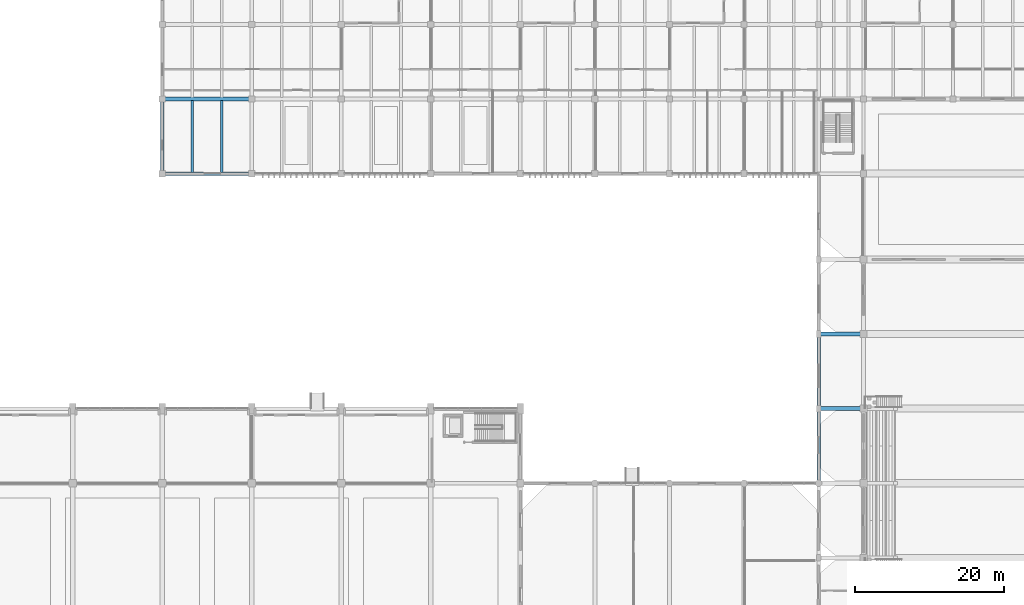
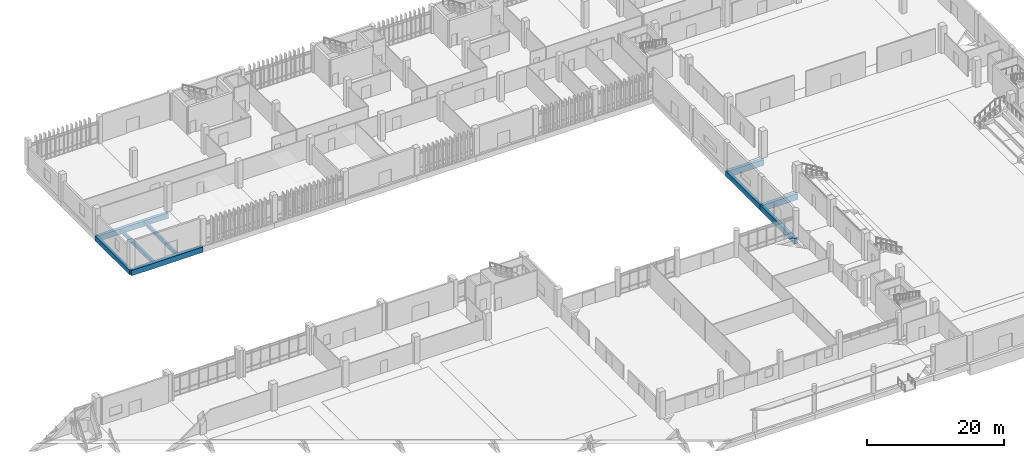
# One storey, part 32 of 87: 9 beams.
"""IFC4 building model written with IfcOpenShell, lengths in metres."""

from ifc_helpers import new_model, si_unit, direction, frame, origin, origin_2d, place, context, subcontext, project, spatial, rectangle, extrude, material, material_profile, profile_set, type_object, element, save


model = new_model("IFC4")

# Units and contexts
model_context = context("Model", 3, precision=1e-05, world=origin(), true_north=direction((0.0, 1.0)))
body_context = subcontext(model_context, "Body", "Model", "MODEL_VIEW")
ifc_project = project(units=[si_unit("LENGTHUNIT", "METRE"), si_unit("AREAUNIT", "SQUARE_METRE"), si_unit("VOLUMEUNIT", "CUBIC_METRE"), si_unit("PLANEANGLEUNIT", "RADIAN"), si_unit("MASSUNIT", "GRAM", prefix="KILO")], contexts=[model_context])

# Site, building, storey
site_placement = place(None, origin())
site = spatial("IfcSite", under=ifc_project, at=site_placement, CompositionType="ELEMENT")
building_placement = place(site_placement, origin())
building = spatial("IfcBuilding", under=site, at=building_placement, Name="Mersad Railyard Sports Hall", CompositionType="ELEMENT")
storey_placement = place(building_placement, origin())
storey = spatial("IfcBuildingStorey", under=building, at=storey_placement, Name="L00", CompositionType="ELEMENT", Elevation=0.0)

# Beams
ifc_material_1 = material(Name="Concrete C40/50", Category="concrete")
ifc_material_profile_1 = material_profile(ifc_material_1, rectangle(XDim=0.449951171875, YDim=0.85009765625, at=origin_2d()), Name="RC 450x850")
ifc_profile_set_1 = profile_set([ifc_material_profile_1], Name="Concrete C40/50")
beam_type_1 = type_object("IfcBeamType", Name="STR-BM-B02", PredefinedType="BEAM", material=ifc_profile_set_1)
beam_placement = place(storey_placement, frame((43.0, 85.0, -0.77490234375), z_axis=(0.0, 1.0, 0.0), x_axis=(-1.0, 0.0, 0.0)))
element("IfcBeam", 1, at=beam_placement, inside=storey, type_object=beam_type_1, Name="Beam B02-0174", PredefinedType="BEAM", context=body_context, shape_type="SweptSolid", body=[
    extrude(rectangle(XDim=0.449951171875, YDim=0.85009765625, at=origin_2d()), origin(), (0.0, 0.0, 1.0), 10.0),
])
ifc_material_2 = material(Name="Concrete C50/60", Category="concrete")
ifc_material_profile_2 = material_profile(ifc_material_2, rectangle(XDim=0.5, YDim=0.949951171875, at=origin_2d()), Name="RC 500x950")
ifc_profile_set_2 = profile_set([ifc_material_profile_2], Name="Concrete C50/60")
beam_type_2 = type_object("IfcBeamType", Name="STR-BM-B03", PredefinedType="BEAM", material=ifc_profile_set_2)
for number, where, z_axis, x_axis, name in (
    (2, (131.0, 43.5, -0.925048828125), (0.0, 1.0, 0.0), (-1.0, 0.0, 0.0), "Beam B03-0105"),
    (3, (131.0, 53.5, -0.925048828125), (0.0, 1.0, 0.0), (-1.0, 0.0, 0.0), "Beam B03-0106"),
):
    element("IfcBeam", number, at=place(storey_placement, frame(where, z_axis=z_axis, x_axis=x_axis)), inside=storey, type_object=beam_type_2, Name=name, PredefinedType="BEAM", context=body_context, shape_type="SweptSolid", body=[
        extrude(rectangle(XDim=0.5, YDim=0.949951171875, at=origin_2d()), origin(), (0.0, 0.0, 1.0), 10.0),
    ])
for number, where, z_axis, x_axis, name in (
    (4, (43.0, 85.0, -0.824951171875), (1.0, 0.0, 0.0), (0.0, 1.0, 0.0), "Beam B03-0142"),
    (5, (43.0, 95.0, -0.824951171875), (1.0, 0.0, 0.0), (0.0, 1.0, 0.0), "Beam B03-0150"),
):
    element("IfcBeam", number, at=place(storey_placement, frame(where, z_axis=z_axis, x_axis=x_axis)), inside=storey, type_object=beam_type_2, Name=name, PredefinedType="BEAM", context=body_context, shape_type="SweptSolid", body=[
        extrude(rectangle(XDim=0.5, YDim=0.949951171875, at=origin_2d()), origin(), (0.0, 0.0, 1.0), 12.0),
    ])
ifc_material_profile_3 = material_profile(ifc_material_2, rectangle(XDim=0.550048828125, YDim=1.050048828125, at=origin_2d()), Name="RC 550x1050")
ifc_profile_set_3 = profile_set([ifc_material_profile_3], Name="Concrete C50/60")
beam_type_3 = type_object("IfcBeamType", Name="STR-BM-B04", PredefinedType="BEAM", material=ifc_profile_set_3)
for number, where, z_axis, x_axis, name in (
    (6, (131.0, 53.5, -0.97509765625), (1.0, 0.0, 0.0), (0.0, 1.0, 0.0), "Beam B04-0096"),
    (7, (131.0, 63.5, -0.97509765625), (1.0, 0.0, 0.0), (0.0, 1.0, 0.0), "Beam B04-0099"),
):
    element("IfcBeam", number, at=place(storey_placement, frame(where, z_axis=z_axis, x_axis=x_axis)), inside=storey, type_object=beam_type_3, Name=name, PredefinedType="BEAM", context=body_context, shape_type="SweptSolid", body=[
        extrude(rectangle(XDim=0.550048828125, YDim=1.050048828125, at=origin_2d()), origin(), (0.0, 0.0, 1.0), 6.0),
    ])
ifc_material_profile_4 = material_profile(ifc_material_1, rectangle(XDim=0.35009765625, YDim=0.64990234375, at=origin_2d()), Name="RC 350x650")
ifc_profile_set_4 = profile_set([ifc_material_profile_4], Name="Concrete C40/50")
beam_type_4 = type_object("IfcBeamType", Name="STR-BM-J01", PredefinedType="JOIST", material=ifc_profile_set_4)
for number, where, z_axis, x_axis, name in (
    (8, (47.0, 85.179931640625, -0.675048828125), (0.0, 1.0, 0.0), (-1.0, 0.0, 0.0), "Beam J01-0223"),
    (9, (51.0, 85.179931640625, -0.675048828125), (0.0, 1.0, 0.0), (-1.0, 0.0, 0.0), "Beam J01-0224"),
):
    element("IfcBeam", number, at=place(storey_placement, frame(where, z_axis=z_axis, x_axis=x_axis)), inside=storey, type_object=beam_type_4, Name=name, PredefinedType="JOIST", context=body_context, shape_type="SweptSolid", body=[
        extrude(rectangle(XDim=0.35009765625, YDim=0.64990234375, at=origin_2d()), origin(), (0.0, 0.0, 1.0), 9.64013671875),
    ])

save(model, "model.ifc")
